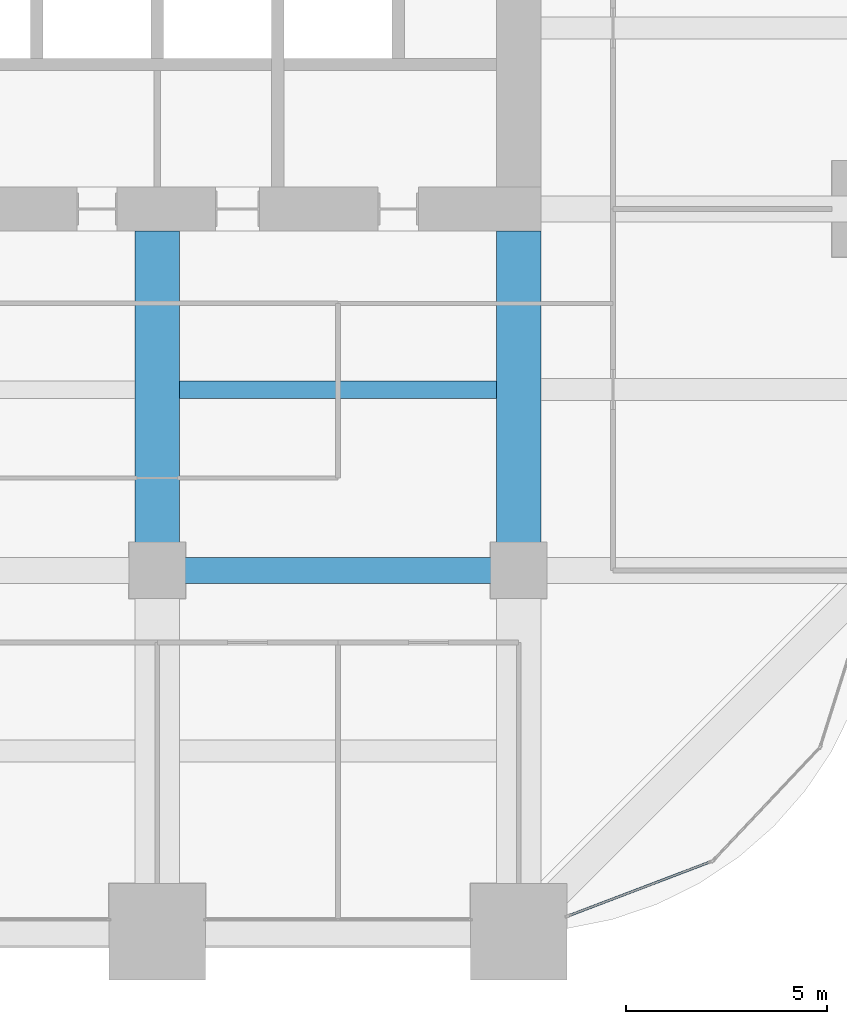
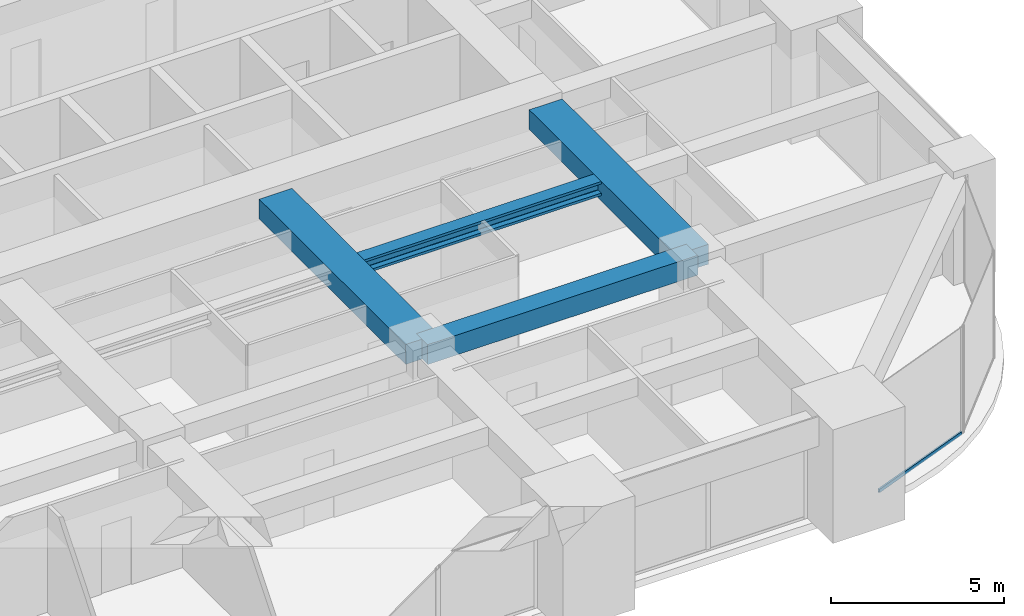
# One storey, part 15 of 34: 4 beams, 1 member, 1 element without a shape of its own.
"""IFC4 building model written with IfcOpenShell, lengths in metres."""

from ifc_helpers import new_model, si_unit, direction, frame, origin, origin_2d, place, context, subcontext, project, spatial, rectangle, hollow_rectangle, i_section, extrude, material, material_profile, profile_set, type_object, element, aggregate, save


model = new_model("IFC4")

# Units and contexts
model_context = context("Model", 3, precision=1e-05, world=origin(), true_north=direction((0.0, 1.0)))
body_context = subcontext(model_context, "Body", "Model", "MODEL_VIEW")
ifc_project = project(units=[si_unit("LENGTHUNIT", "METRE"), si_unit("AREAUNIT", "SQUARE_METRE"), si_unit("VOLUMEUNIT", "CUBIC_METRE"), si_unit("PLANEANGLEUNIT", "RADIAN"), si_unit("MASSUNIT", "GRAM", prefix="KILO")], contexts=[model_context])

# Site, building, storey
site_placement = place(None, origin())
site = spatial("IfcSite", under=ifc_project, at=site_placement, CompositionType="ELEMENT")
building_placement = place(site_placement, origin())
building = spatial("IfcBuilding", under=site, at=building_placement, Name="Zorevar Civic Tower", CompositionType="ELEMENT")
storey_placement = place(building_placement, frame((0.0, 0.0, 214.199951171875)))
storey = spatial("IfcBuildingStorey", under=building, at=storey_placement, Name="L52", CompositionType="ELEMENT", Elevation=214.199951171875)

# Beams
ifc_material_1 = material(Name="Concrete C50/60", Category="concrete")
ifc_material_profile_1 = material_profile(ifc_material_1, rectangle(XDim=1.10009765625, YDim=0.699951171875, at=origin_2d()), Name="RC 1100x700")
ifc_profile_set_1 = profile_set([ifc_material_profile_1], Name="Concrete C50/60")
beam_type_1 = type_object("IfcBeamType", Name="Beam RC 1100x700", PredefinedType="BEAM", material=ifc_profile_set_1)
for number, where, z_axis, x_axis, name in (
    (1, (36.0, 9.0, 3.400146484375), (0.0, 1.0, 0.0), (-1.0, 0.0, 0.0), "Girder L53"),
    (2, (45.0, 9.0, 3.400146484375), (0.0, 1.0, 0.0), (-1.0, 0.0, 0.0), "Girder L53"),
):
    element("IfcBeam", number, at=place(storey_placement, frame(where, z_axis=z_axis, x_axis=x_axis)), inside=storey, type_object=beam_type_1, Name=name, PredefinedType="BEAM", context=body_context, shape_type="SweptSolid", body=[
        extrude(rectangle(XDim=1.10009765625, YDim=0.699951171875, at=origin_2d()), origin(), (0.0, 0.0, 1.0), 8.449951171875),
    ])
ifc_material_2 = material(Name="Concrete C50/60", Category="concrete")
ifc_material_profile_2 = material_profile(ifc_material_2, rectangle(XDim=0.64990234375, YDim=0.699951171875, at=origin_2d()), Name="RC 650x700")
ifc_profile_set_2 = profile_set([ifc_material_profile_2], Name="Concrete C50/60")
beam_type_2 = type_object("IfcBeamType", Name="Beam RC 650x700", PredefinedType="BEAM", material=ifc_profile_set_2)
beam_1_placement = place(storey_placement, frame((36.0, 9.0, 3.400146484375), z_axis=(1.0, 0.0, 0.0), x_axis=(0.0, 1.0, 0.0)))
element("IfcBeam", 3, at=beam_1_placement, inside=storey, type_object=beam_type_2, Name="Girder L53", PredefinedType="BEAM", context=body_context, shape_type="SweptSolid", body=[
    extrude(rectangle(XDim=0.64990234375, YDim=0.699951171875, at=origin_2d()), origin(), (0.0, 0.0, 1.0), 9.0),
])

# Curtain wall, member
ifc_material_3 = material(Name="Dark grey solar-control glass in black aluminium frame", Category="aluminium")
curtain_wall_type = type_object("IfcCurtainWallType", Name="Curtain wall CW4 high zone", PredefinedType="NOTDEFINED", material=ifc_material_3)
curtain_wall_placement = place(storey_placement, origin())
curtain_wall = element("IfcCurtainWall", 4, at=curtain_wall_placement, inside=storey, type_object=curtain_wall_type, Name="CW4 L52", PredefinedType="NOTDEFINED")
ifc_material_4 = material(Name="Aluminium, black anodised", Category="aluminium")
ifc_material_profile_3 = material_profile(ifc_material_4, hollow_rectangle(XDim=0.06005859375, YDim=0.1201171875, WallThickness=0.0029296875, at=origin_2d()), Name="AL 120x60x3")
ifc_profile_set_3 = profile_set([ifc_material_profile_3], Name="Aluminium, black anodised")
member_type = type_object("IfcMemberType", Name="CW4 transom AL 120x60x3", PredefinedType="USERDEFINED", material=ifc_profile_set_3)
member_placement = place(storey_placement, frame((46.256103515625, 0.404541015625, 0.030029296875), z_axis=(0.934589335576, 0.355728511406, 0.0), x_axis=(-0.355728511406, 0.934589335576, 0.0)))
member = element("IfcMember", 5, at=member_placement, type_object=member_type, Name="CW4 sill transom", ObjectType="TRANSOM", PredefinedType="USERDEFINED", context=body_context, shape_type="SweptSolid", body=[
    extrude(hollow_rectangle(XDim=0.06005859375, YDim=0.1201171875, WallThickness=0.0029296875, at=origin_2d()), origin(), (0.0, 0.0, 1.0), 3.76708984375),
])
aggregate(curtain_wall, [member])

# Beam
ifc_material_5 = material(Name="Steel S460M (HISTAR 460)", Category="steel")
ifc_material_profile_4 = material_profile(ifc_material_5, i_section(OverallWidth=0.431884765625, OverallDepth=0.498046875, WebThickness=0.0556640625, FlangeThickness=0.0888671875, FilletRadius=0.014892578125, at=origin_2d()), Name="HD 400x744")
ifc_profile_set_4 = profile_set([ifc_material_profile_4], Name="Steel S460M (HISTAR 460)")
beam_type_3 = type_object("IfcBeamType", Name="Core bay beam HD 400x744", PredefinedType="BEAM", material=ifc_profile_set_4)
beam_2_placement = place(storey_placement, frame((36.550048828125, 13.5, 3.5009765625), z_axis=(1.0, 0.0, 0.0), x_axis=(0.0, 1.0, 0.0)))
element("IfcBeam", 6, at=beam_2_placement, inside=storey, type_object=beam_type_3, Name="Secondary beam L53", PredefinedType="BEAM", context=body_context, shape_type="SweptSolid", body=[
    extrude(i_section(OverallWidth=0.431884765625, OverallDepth=0.498046875, WebThickness=0.0556640625, FlangeThickness=0.0888671875, FilletRadius=0.014892578125, at=origin_2d()), origin(), (0.0, 0.0, 1.0), 7.89990234375),
])

save(model, "model.ifc")
